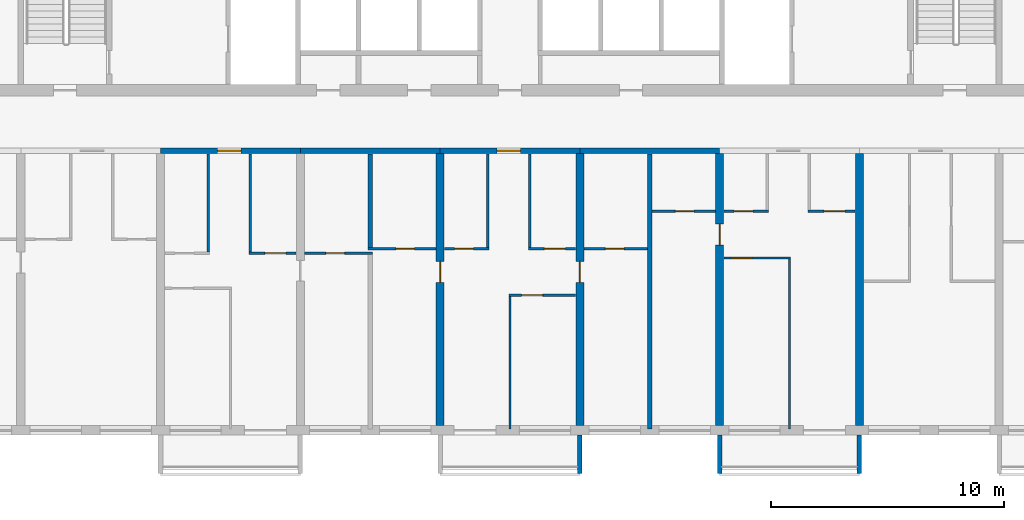
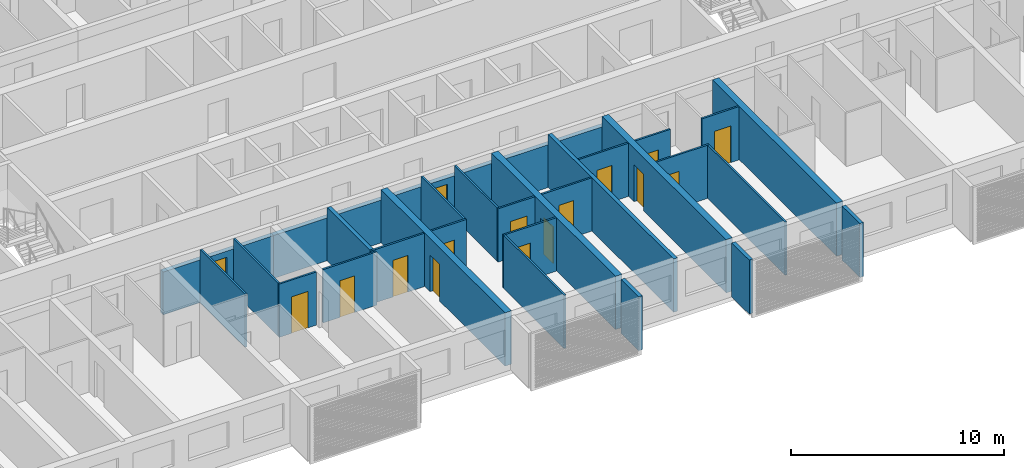
# One storey, part 5 of 26: 30 walls, 16 doors, 16 openings.
"""IFC4 building model written with IfcOpenShell, lengths in metres."""

import ifcopenshell
import ifcopenshell.guid

model = None  # the IFC model being written
_history = None  # IfcOwnerHistory: only IFC2X3 demands one
_inside = {}  # id of a spatial element -> (the spatial element, [elements in it])
_under = {}  # id of a project, library or spatial element -> (it, [spatial elements below it])
_declared = {}  # id of a project -> (the project, [libraries it declares])
_typed = {}  # id of a type object -> (the type object, [elements of that type])
_made_of = {}  # id of a material, layer set ... -> (it, [elements and type objects made of it])


def new_model(schema):
    """Start an empty IFC model of exactly this schema.

    Asked for "IFC4X3", IfcOpenShell would pick the latest addendum, in which some entities
    have other attributes; the version numbers below select the first issue.
    IFC2X3 requires an IfcOwnerHistory on every rooted entity: one is made here for all.
    """
    global model, _history
    if schema == "IFC4X3":
        model = ifcopenshell.file(schema_version=(4, 3, 0, 0))
    else:
        model = ifcopenshell.file(schema=schema)
    _inside.clear()
    _under.clear()
    _declared.clear()
    _typed.clear()
    _made_of.clear()
    _history = None
    if model.schema == "IFC2X3":
        org = make("IfcOrganization", Name="unknown")
        user = make(
            "IfcPersonAndOrganization",
            ThePerson=make("IfcPerson", FamilyName="unknown"),
            TheOrganization=org,
        )
        app = make(
            "IfcApplication",
            ApplicationDeveloper=org,
            Version="unknown",
            ApplicationFullName="unknown",
            ApplicationIdentifier="unknown",
        )
        _history = make(
            "IfcOwnerHistory",
            OwningUser=user,
            OwningApplication=app,
            ChangeAction="ADDED",
            CreationDate=0,
        )
    return model


def make(cls, **values):
    """One entity of the class cls with the attributes given. An attribute that is None is left unset."""
    return model.create_entity(
        cls, **{name: value for name, value in values.items() if value is not None}
    )


def rooted(cls, **values):
    """An entity with a GlobalId (a new one), such as an element, a storey or a relation."""
    return make(cls, GlobalId=ifcopenshell.guid.new(), OwnerHistory=_history, **values)


def si_unit(unit_type, name, prefix=None):
    """IfcSIUnit, for example si_unit("LENGTHUNIT", "METRE", prefix="MILLI")."""
    return make("IfcSIUnit", UnitType=unit_type, Prefix=prefix, Name=name)


def assignment(units):
    """IfcUnitAssignment: the units of a project."""
    return None if units is None else make("IfcUnitAssignment", Units=units)


def point(xyz):
    """IfcCartesianPoint."""
    return None if xyz is None else make("IfcCartesianPoint", Coordinates=xyz)


def direction(xyz):
    """IfcDirection."""
    return None if xyz is None else make("IfcDirection", DirectionRatios=xyz)


def frame(location, z_axis=None, x_axis=None):
    """IfcAxis2Placement3D, a coordinate frame: its origin and axes. An axis left out is left unset."""
    return make(
        "IfcAxis2Placement3D",
        Location=point(location),
        Axis=direction(z_axis),
        RefDirection=direction(x_axis),
    )


def frame_2d(location, x_axis=None):
    """IfcAxis2Placement2D, a coordinate frame in the plane: its origin and x axis."""
    return make(
        "IfcAxis2Placement2D", Location=point(location), RefDirection=direction(x_axis)
    )


def origin():
    """The frame at (0, 0, 0) with its axes left unset."""
    return frame((0.0, 0.0, 0.0))


def place(relative_to, where):
    """IfcLocalPlacement: puts the frame where relative to a parent placement (None: the world)."""
    return make(
        "IfcLocalPlacement", PlacementRelTo=relative_to, RelativePlacement=where
    )


def context(
    kind, dimensions, precision=None, world=None, true_north=None, identifier=None
):
    """IfcGeometricRepresentationContext, for example the 3D "Model" context."""
    return make(
        "IfcGeometricRepresentationContext",
        ContextIdentifier=identifier,
        ContextType=kind,
        CoordinateSpaceDimension=dimensions,
        Precision=precision,
        WorldCoordinateSystem=world,
        TrueNorth=true_north,
    )


def subcontext(parent, identifier, kind, view, scale=None):
    """IfcGeometricRepresentationSubContext, for example "Body" below "Model"."""
    return make(
        "IfcGeometricRepresentationSubContext",
        ContextIdentifier=identifier,
        ContextType=kind,
        ParentContext=parent,
        TargetScale=scale,
        TargetView=view,
    )


def project(units=None, contexts=None):
    """IfcProject with its units and contexts."""
    return rooted(
        "IfcProject",
        Name="project",
        RepresentationContexts=contexts,
        UnitsInContext=assignment(units),
    )


def spatial(cls, under=None, at=None, **own):
    """A site, building, storey or space (cls), placed at a placement, below another one or the project."""
    s = rooted(cls, ObjectPlacement=at, **own)
    if under is not None:
        _under.setdefault(under.id(), (under, []))[1].append(s)
    return s


def polyline(points):
    """IfcPolyline through the points."""
    return make("IfcPolyline", Points=[point(p) for p in points])


def profile(cls, at=None, kind="AREA", **sizes):
    """A parametric profile (cls). Its sizes go by their IFC names, for example OverallWidth=200.0."""
    return make(cls, ProfileType=kind, Position=at, **sizes)


def rectangle(**sizes):
    """IfcRectangleProfileDef."""
    return profile("IfcRectangleProfileDef", **sizes)


def outline(outer, holes=None, kind="AREA"):
    """IfcArbitraryClosedProfileDef: a profile drawn as a closed curve; with holes, ...WithVoids."""
    if holes is None:
        return make("IfcArbitraryClosedProfileDef", ProfileType=kind, OuterCurve=outer)
    return make(
        "IfcArbitraryProfileDefWithVoids",
        ProfileType=kind,
        OuterCurve=outer,
        InnerCurves=holes,
    )


def extrude(swept, where, along, depth):
    """IfcExtrudedAreaSolid: the profile swept, set in the frame where, extruded along a direction by depth."""
    return make(
        "IfcExtrudedAreaSolid",
        SweptArea=swept,
        Position=where,
        ExtrudedDirection=direction(along),
        Depth=depth,
    )


def shape(context_of_items, identifier, shape_type, items):
    """IfcShapeRepresentation: the items that make up one representation, for example the "Body"."""
    return make(
        "IfcShapeRepresentation",
        ContextOfItems=context_of_items,
        RepresentationIdentifier=identifier,
        RepresentationType=shape_type,
        Items=items,
    )


def source(mapping_origin, context_of_items, identifier, shape_type, items):
    """IfcRepresentationMap: a shape defined once, which mapped items show again and again."""
    return make(
        "IfcRepresentationMap",
        MappingOrigin=mapping_origin,
        MappedRepresentation=shape(context_of_items, identifier, shape_type, items),
    )


def transform(
    local_origin,
    x_axis=None,
    y_axis=None,
    z_axis=None,
    scale=None,
    scale2=None,
    scale3=None,
    uniform=True,
):
    """IfcCartesianTransformationOperator3D, or its non-uniform kind. x_axis, y_axis, z_axis: its Axis1, 2, 3."""
    if uniform:
        return make(
            "IfcCartesianTransformationOperator3D",
            Axis1=direction(x_axis),
            Axis2=direction(y_axis),
            LocalOrigin=point(local_origin),
            Scale=scale,
            Axis3=direction(z_axis),
        )
    return make(
        "IfcCartesianTransformationOperator3DnonUniform",
        Axis1=direction(x_axis),
        Axis2=direction(y_axis),
        LocalOrigin=point(local_origin),
        Scale=scale,
        Axis3=direction(z_axis),
        Scale2=scale2,
        Scale3=scale3,
    )


def mapped(mapping_source, mapping_target):
    """IfcMappedItem: shows the shape of a source again, moved by a transform."""
    return make(
        "IfcMappedItem", MappingSource=mapping_source, MappingTarget=mapping_target
    )


def material(Name=None, Category=None):
    """IfcMaterial."""
    return make("IfcMaterial", Name=Name, Category=Category)


def layer(
    of_material, thickness, ventilated=None, Name=None, Category=None, Priority=None
):
    """IfcMaterialLayer: one layer of a wall or slab, of a material (None: an air gap)."""
    return make(
        "IfcMaterialLayer",
        Material=of_material,
        LayerThickness=thickness,
        IsVentilated=ventilated,
        Name=Name,
        Category=Category,
        Priority=Priority,
    )


def layer_set(layers, Name=None):
    """IfcMaterialLayerSet."""
    return make("IfcMaterialLayerSet", MaterialLayers=layers, LayerSetName=Name)


def made_of(thing, what):
    """Note that an element or type object is made of a material, layer set ...; save() writes the relation."""
    if what is not None:
        _made_of.setdefault(what.id(), (what, []))[1].append(thing)
    return thing


def type_object(cls, material=None, **own):
    """A type object (cls), such as IfcWallType, which elements share."""
    return made_of(rooted(cls, **own), material)


def element(
    cls,
    number,
    at=None,
    inside=None,
    cuts=None,
    type_object=None,
    material=None,
    context=None,
    identifier="Body",
    shape_type=None,
    held_by="IfcProductDefinitionShape",
    body=None,
    shapes=None,
    **own,
):
    """One element of the class cls, such as IfcWall. Its Tag is "e" and its number.

    at: its placement. inside: the storey or other place that contains it. cuts: it is an
    opening in that element (IfcRelVoidsElement). A single representation is given by context,
    identifier, shape_type and body (its items); several are given by shapes. held_by: the class
    of the entity that holds the representations. save() writes the other relations.
    """
    e = rooted(cls, Tag="e%d" % number, ObjectPlacement=at, **own)
    if body is not None:
        shapes = [shape(context, identifier, shape_type, body)]
    if shapes is not None:
        e.Representation = make(held_by, Representations=shapes)
    if inside is not None:
        _inside.setdefault(inside.id(), (inside, []))[1].append(e)
    if cuts is not None:
        rooted(
            "IfcRelVoidsElement", RelatingBuildingElement=cuts, RelatedOpeningElement=e
        )
    if type_object is not None:
        _typed.setdefault(type_object.id(), (type_object, []))[1].append(e)
    return made_of(e, material)


def fill(opening, filler):
    """IfcRelFillsElement: the door or window that sits in an opening."""
    return rooted(
        "IfcRelFillsElement",
        RelatingOpeningElement=opening,
        RelatedBuildingElement=filler,
    )


def aggregate(whole, parts):
    """IfcRelAggregates: a whole, such as a stair, and the parts it consists of."""
    return rooted("IfcRelAggregates", RelatingObject=whole, RelatedObjects=parts)


def save(model, path):
    """Write the relations noted so far, then the file.

    IfcRelAggregates (storeys below a building ...), IfcRelContainedInSpatialStructure (elements
    in a storey), IfcRelDefinesByType, IfcRelAssociatesMaterial and IfcRelDeclares: one each for
    every whole, place, type object, material and project.
    """
    for whole, parts in _under.values():
        aggregate(whole, parts)
    for where, things in _inside.values():
        rooted(
            "IfcRelContainedInSpatialStructure",
            RelatedElements=things,
            RelatingStructure=where,
        )
    for kind, things in _typed.values():
        rooted("IfcRelDefinesByType", RelatedObjects=things, RelatingType=kind)
    for what, things in _made_of.values():
        rooted("IfcRelAssociatesMaterial", RelatedObjects=things, RelatingMaterial=what)
    for by, libraries in _declared.values():
        rooted("IfcRelDeclares", RelatingContext=by, RelatedDefinitions=libraries)
    model.write(path)


model = new_model("IFC4")

# Units and contexts
model_context = context("Model", 3, precision=1e-05, world=origin(), true_north=direction((0.0, 1.0)))
body_context = subcontext(model_context, "Body", "Model", "MODEL_VIEW")
ifc_project = project(units=[si_unit("LENGTHUNIT", "METRE"), si_unit("AREAUNIT", "SQUARE_METRE"), si_unit("VOLUMEUNIT", "CUBIC_METRE"), si_unit("PLANEANGLEUNIT", "RADIAN"), si_unit("MASSUNIT", "GRAM", prefix="KILO")], contexts=[model_context])

# Site, building, storey
site_placement = place(None, origin())
site = spatial("IfcSite", under=ifc_project, at=site_placement, CompositionType="ELEMENT")
building_placement = place(site_placement, origin())
building = spatial("IfcBuilding", under=site, at=building_placement, Name="Poui Terraces", CompositionType="ELEMENT")
storey_placement = place(building_placement, frame((0.0, 0.0, 96.0)))
storey = spatial("IfcBuildingStorey", under=building, at=storey_placement, Name="L26", CompositionType="ELEMENT", Elevation=96.0)

# Wall, opening, door
ifc_material_1 = material(Name="Concrete 65 MPa", Category="concrete")
ifc_layer_1 = layer(ifc_material_1, 0.25)
ifc_layer_set_1 = layer_set([ifc_layer_1], Name="Concrete 65 MPa")
wall_type_1 = type_object("IfcWallType", Name="CORRIDOR WALL 250 65MPa", PredefinedType="SHEAR", material=ifc_layer_set_1)
wall_1_placement = place(storey_placement, frame((36.0, 12.0, 0.0), z_axis=(0.0, 0.0, 1.0), x_axis=(1.0, 0.0, 0.0)))
wall_1 = element("IfcWall", 1, at=wall_1_placement, inside=storey, type_object=wall_type_1, Name="CORRIDOR WALL LINE B BAY 6", PredefinedType="SHEAR", context=body_context, shape_type="SweptSolid", body=[
    extrude(rectangle(XDim=6.0, YDim=0.25, at=frame_2d((3.0, 0.0))), origin(), (0.0, 0.0, 1.0), 2.4599609375),
])
opening_1_placement = place(wall_1_placement, frame((2.449951171875, 0.0, 0.0)))
opening_1 = element("IfcOpeningElement", 2, at=opening_1_placement, cuts=wall_1, Name="Opening FD30S", PredefinedType="OPENING", context=body_context, shape_type="SweptSolid", body=[
    extrude(rectangle(XDim=1.0, YDim=2.10009765625, at=frame_2d((0.5, 1.050048828125))), frame((0.0, 0.135009765625, 0.0), z_axis=(0.0, -1.0, 0.0), x_axis=(1.0, 0.0, 0.0)), (0.0, 0.0, 1.0), 0.27001953125),
])
ifc_material_2 = material(Name="Steel fire door", Category="steel")
door_type_1 = type_object("IfcDoorType", Name="FLAT ENTRANCE DOOR 1000 X 2100", OperationType="NOTDEFINED", PredefinedType="DOOR", material=ifc_material_2)
door_1_placement = place(opening_1_placement, frame((1.0, 0.0, 0.0), z_axis=(0.0, 0.0, 1.0), x_axis=(-1.0, 0.0, 0.0)))
door_1 = element("IfcDoor", 3, at=door_1_placement, inside=storey, type_object=door_type_1, Name="FLAT ENTRANCE DOOR 101", OperationType="SINGLE_SWING_RIGHT", OverallHeight=2.10009765625, OverallWidth=1.0, PredefinedType="DOOR", context=body_context, shape_type="SweptSolid", body=[
    extrude(rectangle(XDim=1.0, YDim=2.10009765625, at=frame_2d((0.5, 1.050048828125))), frame((0.0, 0.02490234375, 0.0), z_axis=(0.0, -1.0, 0.0), x_axis=(1.0, 0.0, 0.0)), (0.0, 0.0, 1.0), 0.050048828125),
])
fill(opening_1, door_1)

# Wall
wall_2_placement = place(storey_placement, frame((42.0, 12.0, 0.0), z_axis=(0.0, 0.0, 1.0), x_axis=(1.0, 0.0, 0.0)))
element("IfcWall", 4, at=wall_2_placement, inside=storey, type_object=wall_type_1, Name="CORRIDOR WALL LINE B BAY 7", PredefinedType="SHEAR", context=body_context, shape_type="SweptSolid", body=[
    extrude(rectangle(XDim=6.0, YDim=0.25, at=frame_2d((3.0, 0.0))), origin(), (0.0, 0.0, 1.0), 2.4599609375),
])

# Wall, opening, door
wall_3_placement = place(storey_placement, frame((48.0, 12.0, 0.0), z_axis=(0.0, 0.0, 1.0), x_axis=(1.0, 0.0, 0.0)))
wall_3 = element("IfcWall", 5, at=wall_3_placement, inside=storey, type_object=wall_type_1, Name="CORRIDOR WALL LINE B BAY 8", PredefinedType="SHEAR", context=body_context, shape_type="SweptSolid", body=[
    extrude(rectangle(XDim=6.0, YDim=0.25, at=frame_2d((3.0, 0.0))), origin(), (0.0, 0.0, 1.0), 2.4599609375),
])
opening_2_placement = place(wall_3_placement, frame((2.449951171875, 0.0, 0.0)))
opening_2 = element("IfcOpeningElement", 6, at=opening_2_placement, cuts=wall_3, Name="Opening FD30S", PredefinedType="OPENING", context=body_context, shape_type="SweptSolid", body=[
    extrude(rectangle(XDim=1.0, YDim=2.10009765625, at=frame_2d((0.5, 1.050048828125))), frame((0.0, 0.135009765625, 0.0), z_axis=(0.0, -1.0, 0.0), x_axis=(1.0, 0.0, 0.0)), (0.0, 0.0, 1.0), 0.27001953125),
])
door_2_placement = place(opening_2_placement, frame((1.0, 0.0, 0.0), z_axis=(0.0, 0.0, 1.0), x_axis=(-1.0, 0.0, 0.0)))
door_2 = element("IfcDoor", 7, at=door_2_placement, inside=storey, type_object=door_type_1, Name="FLAT ENTRANCE DOOR 108", OperationType="SINGLE_SWING_RIGHT", OverallHeight=2.10009765625, OverallWidth=1.0, PredefinedType="DOOR", context=body_context, shape_type="SweptSolid", body=[
    extrude(rectangle(XDim=1.0, YDim=2.10009765625, at=frame_2d((0.5, 1.050048828125))), frame((0.0, 0.02490234375, 0.0), z_axis=(0.0, -1.0, 0.0), x_axis=(1.0, 0.0, 0.0)), (0.0, 0.0, 1.0), 0.050048828125),
])
fill(opening_2, door_2)

# Wall
wall_4_placement = place(storey_placement, frame((54.0, 12.0, 0.0), z_axis=(0.0, 0.0, 1.0), x_axis=(1.0, 0.0, 0.0)))
element("IfcWall", 8, at=wall_4_placement, inside=storey, type_object=wall_type_1, Name="CORRIDOR WALL LINE B BAY 9", PredefinedType="SHEAR", context=body_context, shape_type="SweptSolid", body=[
    extrude(rectangle(XDim=6.0, YDim=0.25, at=frame_2d((3.0, 0.0))), origin(), (0.0, 0.0, 1.0), 2.4599609375),
])

# Wall, opening, door
ifc_layer_2 = layer(ifc_material_1, 0.35009765625)
ifc_layer_set_2 = layer_set([ifc_layer_2], Name="Concrete 65 MPa")
wall_type_2 = type_object("IfcWallType", Name="CROSS WALL 350 65MPa", PredefinedType="SHEAR", material=ifc_layer_set_2)
wall_5_placement = place(storey_placement, frame((48.0, 0.199951171875, 0.0), z_axis=(0.0, 0.0, 1.0), x_axis=(0.0, 1.0, 0.0)))
wall_5 = element("IfcWall", 9, at=wall_5_placement, inside=storey, type_object=wall_type_2, Name="CROSS WALL LINE 9 SOUTH", PredefinedType="SHEAR", context=body_context, shape_type="SweptSolid", body=[
    extrude(rectangle(XDim=11.675048828125, YDim=0.35009765625, at=frame_2d((5.83740234375, 0.0))), origin(), (0.0, 0.0, 1.0), 3.06005859375),
])
opening_3_placement = place(wall_5_placement, frame((6.14990234375, 0.0, 0.0)))
opening_3 = element("IfcOpeningElement", 10, at=opening_3_placement, cuts=wall_5, Name="Opening D90", PredefinedType="OPENING", context=body_context, shape_type="SweptSolid", body=[
    extrude(rectangle(XDim=0.89990234375, YDim=2.10009765625, at=frame_2d((0.449951171875, 1.050048828125))), frame((0.0, 0.18505859375, 0.0), z_axis=(0.0, -1.0, 0.0), x_axis=(1.0, 0.0, 0.0)), (0.0, 0.0, 1.0), 0.3701171875),
])
ifc_material_3 = material(Name="Solid core timber door", Category="wood")
door_type_2 = type_object("IfcDoorType", Name="INTERNAL DOOR 900 X 2100", OperationType="NOTDEFINED", PredefinedType="DOOR", material=ifc_material_3)
door_3_placement = place(opening_3_placement, origin())
door_3 = element("IfcDoor", 11, at=door_3_placement, inside=storey, type_object=door_type_2, Name="INTERNAL DOOR 106", OperationType="SINGLE_SWING_RIGHT", OverallHeight=2.10009765625, OverallWidth=0.89990234375, PredefinedType="DOOR", context=body_context, shape_type="SweptSolid", body=[
    extrude(rectangle(XDim=0.89990234375, YDim=2.10009765625, at=frame_2d((0.449951171875, 1.050048828125))), frame((0.0, 0.02490234375, 0.0), z_axis=(0.0, -1.0, 0.0), x_axis=(1.0, 0.0, 0.0)), (0.0, 0.0, 1.0), 0.050048828125),
])
fill(opening_3, door_3)

wall_6_placement = place(storey_placement, frame((54.0, 0.199951171875, 0.0), z_axis=(0.0, 0.0, 1.0), x_axis=(0.0, 1.0, 0.0)))
wall_6 = element("IfcWall", 12, at=wall_6_placement, inside=storey, type_object=wall_type_2, Name="CROSS WALL LINE 10 SOUTH", PredefinedType="SHEAR", context=body_context, shape_type="SweptSolid", body=[
    extrude(rectangle(XDim=11.675048828125, YDim=0.35009765625, at=frame_2d((5.83740234375, 0.0))), origin(), (0.0, 0.0, 1.0), 3.06005859375),
])
opening_4_placement = place(wall_6_placement, frame((6.14990234375, 0.0, 0.0)))
opening_4 = element("IfcOpeningElement", 13, at=opening_4_placement, cuts=wall_6, Name="Opening D90", PredefinedType="OPENING", context=body_context, shape_type="SweptSolid", body=[
    extrude(rectangle(XDim=0.89990234375, YDim=2.10009765625, at=frame_2d((0.449951171875, 1.050048828125))), frame((0.0, 0.18505859375, 0.0), z_axis=(0.0, -1.0, 0.0), x_axis=(1.0, 0.0, 0.0)), (0.0, 0.0, 1.0), 0.3701171875),
])
door_4_placement = place(opening_4_placement, frame((0.89990234375, 0.0, 0.0), z_axis=(0.0, 0.0, 1.0), x_axis=(-1.0, 0.0, 0.0)))
door_4 = element("IfcDoor", 14, at=door_4_placement, inside=storey, type_object=door_type_2, Name="INTERNAL DOOR 111", OperationType="SINGLE_SWING_LEFT", OverallHeight=2.10009765625, OverallWidth=0.89990234375, PredefinedType="DOOR", context=body_context, shape_type="SweptSolid", body=[
    extrude(rectangle(XDim=0.89990234375, YDim=2.10009765625, at=frame_2d((0.449951171875, 1.050048828125))), frame((0.0, 0.02490234375, 0.0), z_axis=(0.0, -1.0, 0.0), x_axis=(1.0, 0.0, 0.0)), (0.0, 0.0, 1.0), 0.050048828125),
])
fill(opening_4, door_4)

wall_7_placement = place(storey_placement, frame((60.0, 0.199951171875, 0.0), z_axis=(0.0, 0.0, 1.0), x_axis=(0.0, 1.0, 0.0)))
wall_7 = element("IfcWall", 15, at=wall_7_placement, inside=storey, type_object=wall_type_2, Name="CROSS WALL LINE 11 SOUTH", PredefinedType="SHEAR", context=body_context, shape_type="SweptSolid", body=[
    extrude(rectangle(XDim=11.675048828125, YDim=0.35009765625, at=frame_2d((5.83740234375, 0.0))), origin(), (0.0, 0.0, 1.0), 3.06005859375),
])
opening_5_placement = place(wall_7_placement, frame((7.75, 0.0, 0.0)))
opening_5 = element("IfcOpeningElement", 16, at=opening_5_placement, cuts=wall_7, Name="Opening D90", PredefinedType="OPENING", context=body_context, shape_type="SweptSolid", body=[
    extrude(rectangle(XDim=0.89990234375, YDim=2.10009765625, at=frame_2d((0.449951171875, 1.050048828125))), frame((0.0, 0.18505859375, 0.0), z_axis=(0.0, -1.0, 0.0), x_axis=(1.0, 0.0, 0.0)), (0.0, 0.0, 1.0), 0.3701171875),
])
door_5_placement = place(opening_5_placement, origin())
door_5 = element("IfcDoor", 17, at=door_5_placement, inside=storey, type_object=door_type_2, Name="INTERNAL DOOR 113", OperationType="SINGLE_SWING_RIGHT", OverallHeight=2.10009765625, OverallWidth=0.89990234375, PredefinedType="DOOR", context=body_context, shape_type="SweptSolid", body=[
    extrude(rectangle(XDim=0.89990234375, YDim=2.10009765625, at=frame_2d((0.449951171875, 1.050048828125))), frame((0.0, 0.02490234375, 0.0), z_axis=(0.0, -1.0, 0.0), x_axis=(1.0, 0.0, 0.0)), (0.0, 0.0, 1.0), 0.050048828125),
])
fill(opening_5, door_5)

# Wall
wall_8_placement = place(storey_placement, frame((66.0, 0.199951171875, 0.0), z_axis=(0.0, 0.0, 1.0), x_axis=(0.0, 1.0, 0.0)))
element("IfcWall", 18, at=wall_8_placement, inside=storey, type_object=wall_type_2, Name="CROSS WALL LINE 12 SOUTH", PredefinedType="SHEAR", context=body_context, shape_type="SweptSolid", body=[
    extrude(rectangle(XDim=11.675048828125, YDim=0.35009765625, at=frame_2d((5.83740234375, 0.0))), origin(), (0.0, 0.0, 1.0), 3.06005859375),
])

# Wall, opening, door
ifc_material_4 = material(Name="Plasterboard partition")
ifc_layer_3 = layer(ifc_material_4, 0.10009765625)
ifc_layer_set_3 = layer_set([ifc_layer_3], Name="Plasterboard partition")
wall_type_3 = type_object("IfcWallType", Name="FLAT PARTITION 100", PredefinedType="PARTITIONING", material=ifc_layer_set_3)
wall_9_placement = place(storey_placement, frame((50.949951171875, 5.800048828125, 0.0), z_axis=(0.0, 0.0, 1.0), x_axis=(1.0, 0.0, 0.0)))
wall_9 = element("IfcWall", 19, at=wall_9_placement, inside=storey, type_object=wall_type_3, Name="FLAT PARTITION 100", PredefinedType="PARTITIONING", context=body_context, shape_type="SweptSolid", body=[
    extrude(rectangle(XDim=2.864990234375, YDim=0.10009765625, at=frame_2d((1.4326171875, 0.0))), origin(), (0.0, 0.0, 1.0), 3.06005859375),
])
opening_6_placement = place(wall_9_placement, frame((0.550048828125, 0.0, 0.0)))
opening_6 = element("IfcOpeningElement", 20, at=opening_6_placement, cuts=wall_9, Name="Opening D90", PredefinedType="OPENING", context=body_context, shape_type="SweptSolid", body=[
    extrude(rectangle(XDim=0.89990234375, YDim=2.10009765625, at=frame_2d((0.449951171875, 1.050048828125))), frame((0.0, 0.06005859375, 0.0), z_axis=(0.0, -1.0, 0.0), x_axis=(1.0, 0.0, 0.0)), (0.0, 0.0, 1.0), 0.1201171875),
])
door_6_placement = place(opening_6_placement, origin())
door_6 = element("IfcDoor", 21, at=door_6_placement, inside=storey, type_object=door_type_2, Name="INTERNAL DOOR 109", OperationType="SINGLE_SWING_RIGHT", OverallHeight=2.10009765625, OverallWidth=0.89990234375, PredefinedType="DOOR", context=body_context, shape_type="SweptSolid", body=[
    extrude(rectangle(XDim=0.89990234375, YDim=2.10009765625, at=frame_2d((0.449951171875, 1.050048828125))), frame((0.0, 0.02490234375, 0.0), z_axis=(0.0, -1.0, 0.0), x_axis=(1.0, 0.0, 0.0)), (0.0, 0.0, 1.0), 0.050048828125),
])
fill(opening_6, door_6)

wall_10_placement = place(storey_placement, frame((60.18505859375, 7.39990234375, 0.0), z_axis=(0.0, 0.0, 1.0), x_axis=(1.0, 0.0, 0.0)))
wall_10 = element("IfcWall", 22, at=wall_10_placement, inside=storey, type_object=wall_type_3, Name="FLAT PARTITION 100", PredefinedType="PARTITIONING", context=body_context, shape_type="SweptSolid", body=[
    extrude(rectangle(XDim=2.864990234375, YDim=0.10009765625, at=frame_2d((1.4326171875, 0.0))), origin(), (0.0, 0.0, 1.0), 3.06005859375),
])
opening_7_placement = place(wall_10_placement, frame((0.31494140625, 0.0, 0.0)))
opening_7 = element("IfcOpeningElement", 23, at=opening_7_placement, cuts=wall_10, Name="Opening D90", PredefinedType="OPENING", context=body_context, shape_type="SweptSolid", body=[
    extrude(rectangle(XDim=0.89990234375, YDim=2.10009765625, at=frame_2d((0.449951171875, 1.050048828125))), frame((0.0, 0.06005859375, 0.0), z_axis=(0.0, -1.0, 0.0), x_axis=(1.0, 0.0, 0.0)), (0.0, 0.0, 1.0), 0.1201171875),
])
door_7_placement = place(opening_7_placement, origin())
door_7 = element("IfcDoor", 24, at=door_7_placement, inside=storey, type_object=door_type_2, Name="INTERNAL DOOR 114", OperationType="SINGLE_SWING_RIGHT", OverallHeight=2.10009765625, OverallWidth=0.89990234375, PredefinedType="DOOR", context=body_context, shape_type="SweptSolid", body=[
    extrude(rectangle(XDim=0.89990234375, YDim=2.10009765625, at=frame_2d((0.449951171875, 1.050048828125))), frame((0.0, 0.02490234375, 0.0), z_axis=(0.0, -1.0, 0.0), x_axis=(1.0, 0.0, 0.0)), (0.0, 0.0, 1.0), 0.050048828125),
])
fill(opening_7, door_7)

wall_11_placement = place(storey_placement, frame((39.800048828125, 7.60009765625, 0.0), z_axis=(0.0, 0.0, 1.0), x_axis=(1.0, 0.0, 0.0)))
wall_11 = element("IfcWall", 25, at=wall_11_placement, inside=storey, type_object=wall_type_3, Name="FLAT PARTITION 100", PredefinedType="PARTITIONING", context=body_context, shape_type="SweptSolid", body=[
    extrude(rectangle(XDim=2.014892578125, YDim=0.10009765625, at=frame_2d((1.00732421875, 0.0))), origin(), (0.0, 0.0, 1.0), 3.06005859375),
])
opening_8_placement = place(wall_11_placement, frame((0.675048828125, 0.0, 0.0)))
opening_8 = element("IfcOpeningElement", 26, at=opening_8_placement, cuts=wall_11, Name="Opening D90", PredefinedType="OPENING", context=body_context, shape_type="SweptSolid", body=[
    extrude(rectangle(XDim=0.89990234375, YDim=2.10009765625, at=frame_2d((0.449951171875, 1.050048828125))), frame((0.0, 0.06005859375, 0.0), z_axis=(0.0, -1.0, 0.0), x_axis=(1.0, 0.0, 0.0)), (0.0, 0.0, 1.0), 0.1201171875),
])
door_8_placement = place(opening_8_placement, origin())
door_8 = element("IfcDoor", 27, at=door_8_placement, inside=storey, type_object=door_type_2, Name="INTERNAL DOOR 102", OperationType="SINGLE_SWING_RIGHT", OverallHeight=2.10009765625, OverallWidth=0.89990234375, PredefinedType="DOOR", context=body_context, shape_type="SweptSolid", body=[
    extrude(rectangle(XDim=0.89990234375, YDim=2.10009765625, at=frame_2d((0.449951171875, 1.050048828125))), frame((0.0, 0.02490234375, 0.0), z_axis=(0.0, -1.0, 0.0), x_axis=(1.0, 0.0, 0.0)), (0.0, 0.0, 1.0), 0.050048828125),
])
fill(opening_8, door_8)

wall_12_placement = place(storey_placement, frame((42.18505859375, 7.60009765625, 0.0), z_axis=(0.0, 0.0, 1.0), x_axis=(1.0, 0.0, 0.0)))
wall_12 = element("IfcWall", 28, at=wall_12_placement, inside=storey, type_object=wall_type_3, Name="FLAT PARTITION 100", PredefinedType="PARTITIONING", context=body_context, shape_type="SweptSolid", body=[
    extrude(rectangle(XDim=2.9150390625, YDim=0.10009765625, at=frame_2d((1.45751953125, 0.0))), origin(), (0.0, 0.0, 1.0), 3.06005859375),
])
opening_9_placement = place(wall_12_placement, frame((0.9150390625, 0.0, 0.0)))
opening_9 = element("IfcOpeningElement", 29, at=opening_9_placement, cuts=wall_12, Name="Opening D80", PredefinedType="OPENING", context=body_context, shape_type="SweptSolid", body=[
    extrude(rectangle(XDim=0.800048828125, YDim=2.10009765625, at=frame_2d((0.39990234375, 1.050048828125))), frame((0.0, 0.06005859375, 0.0), z_axis=(0.0, -1.0, 0.0), x_axis=(1.0, 0.0, 0.0)), (0.0, 0.0, 1.0), 0.1201171875),
])
door_type_3 = type_object("IfcDoorType", Name="BATHROOM, LAUNDRY AND STORE DOOR 800 X 2100", OperationType="NOTDEFINED", PredefinedType="DOOR", material=ifc_material_3)
door_9_placement = place(opening_9_placement, origin())
door_9 = element("IfcDoor", 30, at=door_9_placement, inside=storey, type_object=door_type_3, Name="BATHROOM, LAUNDRY AND STORE DOOR 098", OperationType="SINGLE_SWING_LEFT", OverallHeight=2.10009765625, OverallWidth=0.800048828125, PredefinedType="DOOR", context=body_context, shape_type="SweptSolid", body=[
    extrude(rectangle(XDim=0.800048828125, YDim=2.10009765625, at=frame_2d((0.39990234375, 1.050048828125))), frame((0.0, 0.02490234375, 0.0), z_axis=(0.0, -1.0, 0.0), x_axis=(1.0, 0.0, 0.0)), (0.0, 0.0, 1.0), 0.050048828125),
])
fill(opening_9, door_9)

wall_13_placement = place(storey_placement, frame((44.89990234375, 7.800048828125, 0.0), z_axis=(0.0, 0.0, 1.0), x_axis=(1.0, 0.0, 0.0)))
wall_13 = element("IfcWall", 31, at=wall_13_placement, inside=storey, type_object=wall_type_3, Name="FLAT PARTITION 100", PredefinedType="PARTITIONING", context=body_context, shape_type="SweptSolid", body=[
    extrude(rectangle(XDim=2.9150390625, YDim=0.10009765625, at=frame_2d((1.45751953125, 0.0))), origin(), (0.0, 0.0, 1.0), 3.06005859375),
])
opening_10_placement = place(wall_13_placement, frame((1.199951171875, 0.0, 0.0)))
opening_10 = element("IfcOpeningElement", 32, at=opening_10_placement, cuts=wall_13, Name="Opening D80", PredefinedType="OPENING", context=body_context, shape_type="SweptSolid", body=[
    extrude(rectangle(XDim=0.800048828125, YDim=2.10009765625, at=frame_2d((0.39990234375, 1.050048828125))), frame((0.0, 0.06005859375, 0.0), z_axis=(0.0, -1.0, 0.0), x_axis=(1.0, 0.0, 0.0)), (0.0, 0.0, 1.0), 0.1201171875),
])
door_10_placement = place(opening_10_placement, origin())
door_10 = element("IfcDoor", 33, at=door_10_placement, inside=storey, type_object=door_type_3, Name="BATHROOM, LAUNDRY AND STORE DOOR 104", OperationType="SINGLE_SWING_RIGHT", OverallHeight=2.10009765625, OverallWidth=0.800048828125, PredefinedType="DOOR", context=body_context, shape_type="SweptSolid", body=[
    extrude(rectangle(XDim=0.800048828125, YDim=2.10009765625, at=frame_2d((0.39990234375, 1.050048828125))), frame((0.0, 0.02490234375, 0.0), z_axis=(0.0, -1.0, 0.0), x_axis=(1.0, 0.0, 0.0)), (0.0, 0.0, 1.0), 0.050048828125),
])
fill(opening_10, door_10)

wall_14_placement = place(storey_placement, frame((48.18505859375, 7.800048828125, 0.0), z_axis=(0.0, 0.0, 1.0), x_axis=(1.0, 0.0, 0.0)))
wall_14 = element("IfcWall", 34, at=wall_14_placement, inside=storey, type_object=wall_type_3, Name="FLAT PARTITION 100", PredefinedType="PARTITIONING", context=body_context, shape_type="SweptSolid", body=[
    extrude(rectangle(XDim=1.9150390625, YDim=0.10009765625, at=frame_2d((0.95751953125, 0.0))), origin(), (0.0, 0.0, 1.0), 3.06005859375),
])
opening_11_placement = place(wall_14_placement, frame((0.43994140625, 0.0, 0.0)))
opening_11 = element("IfcOpeningElement", 35, at=opening_11_placement, cuts=wall_14, Name="Opening D80", PredefinedType="OPENING", context=body_context, shape_type="SweptSolid", body=[
    extrude(rectangle(XDim=0.800048828125, YDim=2.10009765625, at=frame_2d((0.39990234375, 1.050048828125))), frame((0.0, 0.06005859375, 0.0), z_axis=(0.0, -1.0, 0.0), x_axis=(1.0, 0.0, 0.0)), (0.0, 0.0, 1.0), 0.1201171875),
])
door_11_placement = place(opening_11_placement, origin())
door_11 = element("IfcDoor", 36, at=door_11_placement, inside=storey, type_object=door_type_3, Name="BATHROOM, LAUNDRY AND STORE DOOR 107", OperationType="SINGLE_SWING_RIGHT", OverallHeight=2.10009765625, OverallWidth=0.800048828125, PredefinedType="DOOR", context=body_context, shape_type="SweptSolid", body=[
    extrude(rectangle(XDim=0.800048828125, YDim=2.10009765625, at=frame_2d((0.39990234375, 1.050048828125))), frame((0.0, 0.02490234375, 0.0), z_axis=(0.0, -1.0, 0.0), x_axis=(1.0, 0.0, 0.0)), (0.0, 0.0, 1.0), 0.050048828125),
])
fill(opening_11, door_11)

wall_15_placement = place(storey_placement, frame((51.800048828125, 7.800048828125, 0.0), z_axis=(0.0, 0.0, 1.0), x_axis=(1.0, 0.0, 0.0)))
wall_15 = element("IfcWall", 37, at=wall_15_placement, inside=storey, type_object=wall_type_3, Name="FLAT PARTITION 100", PredefinedType="PARTITIONING", context=body_context, shape_type="SweptSolid", body=[
    extrude(rectangle(XDim=2.014892578125, YDim=0.10009765625, at=frame_2d((1.00732421875, 0.0))), origin(), (0.0, 0.0, 1.0), 3.06005859375),
])
opening_12_placement = place(wall_15_placement, frame((0.675048828125, 0.0, 0.0)))
opening_12 = element("IfcOpeningElement", 38, at=opening_12_placement, cuts=wall_15, Name="Opening D90", PredefinedType="OPENING", context=body_context, shape_type="SweptSolid", body=[
    extrude(rectangle(XDim=0.89990234375, YDim=2.10009765625, at=frame_2d((0.449951171875, 1.050048828125))), frame((0.0, 0.06005859375, 0.0), z_axis=(0.0, -1.0, 0.0), x_axis=(1.0, 0.0, 0.0)), (0.0, 0.0, 1.0), 0.1201171875),
])
door_12_placement = place(opening_12_placement, origin())
door_12 = element("IfcDoor", 39, at=door_12_placement, inside=storey, type_object=door_type_2, Name="INTERNAL DOOR 110", OperationType="SINGLE_SWING_LEFT", OverallHeight=2.10009765625, OverallWidth=0.89990234375, PredefinedType="DOOR", context=body_context, shape_type="SweptSolid", body=[
    extrude(rectangle(XDim=0.89990234375, YDim=2.10009765625, at=frame_2d((0.449951171875, 1.050048828125))), frame((0.0, 0.02490234375, 0.0), z_axis=(0.0, -1.0, 0.0), x_axis=(1.0, 0.0, 0.0)), (0.0, 0.0, 1.0), 0.050048828125),
])
fill(opening_12, door_12)

wall_16_placement = place(storey_placement, frame((54.18505859375, 7.800048828125, 0.0), z_axis=(0.0, 0.0, 1.0), x_axis=(1.0, 0.0, 0.0)))
wall_16 = element("IfcWall", 40, at=wall_16_placement, inside=storey, type_object=wall_type_3, Name="FLAT PARTITION 100", PredefinedType="PARTITIONING", context=body_context, shape_type="SweptSolid", body=[
    extrude(rectangle(XDim=2.71484375, YDim=0.10009765625, at=frame_2d((1.357421875, 0.0))), origin(), (0.0, 0.0, 1.0), 3.06005859375),
])
opening_13_placement = place(wall_16_placement, frame((0.9150390625, 0.0, 0.0)))
opening_13 = element("IfcOpeningElement", 41, at=opening_13_placement, cuts=wall_16, Name="Opening D80", PredefinedType="OPENING", context=body_context, shape_type="SweptSolid", body=[
    extrude(rectangle(XDim=0.800048828125, YDim=2.10009765625, at=frame_2d((0.39990234375, 1.050048828125))), frame((0.0, 0.06005859375, 0.0), z_axis=(0.0, -1.0, 0.0), x_axis=(1.0, 0.0, 0.0)), (0.0, 0.0, 1.0), 0.1201171875),
])
door_13_placement = place(opening_13_placement, origin())
door_13 = element("IfcDoor", 42, at=door_13_placement, inside=storey, type_object=door_type_3, Name="BATHROOM, LAUNDRY AND STORE DOOR 105", OperationType="SINGLE_SWING_RIGHT", OverallHeight=2.10009765625, OverallWidth=0.800048828125, PredefinedType="DOOR", context=body_context, shape_type="SweptSolid", body=[
    extrude(rectangle(XDim=0.800048828125, YDim=2.10009765625, at=frame_2d((0.39990234375, 1.050048828125))), frame((0.0, 0.02490234375, 0.0), z_axis=(0.0, -1.0, 0.0), x_axis=(1.0, 0.0, 0.0)), (0.0, 0.0, 1.0), 0.050048828125),
])
fill(opening_13, door_13)

wall_17_placement = place(storey_placement, frame((57.10009765625, 9.39990234375, 0.0), z_axis=(0.0, 0.0, 1.0), x_axis=(1.0, 0.0, 0.0)))
wall_17 = element("IfcWall", 43, at=wall_17_placement, inside=storey, type_object=wall_type_3, Name="FLAT PARTITION 100", PredefinedType="PARTITIONING", context=body_context, shape_type="SweptSolid", body=[
    extrude(rectangle(XDim=2.71484375, YDim=0.10009765625, at=frame_2d((1.357421875, 0.0))), origin(), (0.0, 0.0, 1.0), 3.06005859375),
])
opening_14_placement = place(wall_17_placement, frame((1.0, 0.0, 0.0)))
opening_14 = element("IfcOpeningElement", 44, at=opening_14_placement, cuts=wall_17, Name="Opening D80", PredefinedType="OPENING", context=body_context, shape_type="SweptSolid", body=[
    extrude(rectangle(XDim=0.800048828125, YDim=2.10009765625, at=frame_2d((0.39990234375, 1.050048828125))), frame((0.0, 0.06005859375, 0.0), z_axis=(0.0, -1.0, 0.0), x_axis=(1.0, 0.0, 0.0)), (0.0, 0.0, 1.0), 0.1201171875),
])
door_14_placement = place(opening_14_placement, origin())
door_14 = element("IfcDoor", 45, at=door_14_placement, inside=storey, type_object=door_type_3, Name="BATHROOM, LAUNDRY AND STORE DOOR 112", OperationType="SINGLE_SWING_LEFT", OverallHeight=2.10009765625, OverallWidth=0.800048828125, PredefinedType="DOOR", context=body_context, shape_type="SweptSolid", body=[
    extrude(rectangle(XDim=0.800048828125, YDim=2.10009765625, at=frame_2d((0.39990234375, 1.050048828125))), frame((0.0, 0.02490234375, 0.0), z_axis=(0.0, -1.0, 0.0), x_axis=(1.0, 0.0, 0.0)), (0.0, 0.0, 1.0), 0.050048828125),
])
fill(opening_14, door_14)

wall_18_placement = place(storey_placement, frame((60.18505859375, 9.39990234375, 0.0), z_axis=(0.0, 0.0, 1.0), x_axis=(1.0, 0.0, 0.0)))
wall_18 = element("IfcWall", 46, at=wall_18_placement, inside=storey, type_object=wall_type_3, Name="FLAT PARTITION 100", PredefinedType="PARTITIONING", context=body_context, shape_type="SweptSolid", body=[
    extrude(rectangle(XDim=1.9150390625, YDim=0.10009765625, at=frame_2d((0.95751953125, 0.0))), origin(), (0.0, 0.0, 1.0), 3.06005859375),
])
opening_15_placement = place(wall_18_placement, frame((0.43994140625, 0.0, 0.0)))
opening_15 = element("IfcOpeningElement", 47, at=opening_15_placement, cuts=wall_18, Name="Opening D80", PredefinedType="OPENING", context=body_context, shape_type="SweptSolid", body=[
    extrude(rectangle(XDim=0.800048828125, YDim=2.10009765625, at=frame_2d((0.39990234375, 1.050048828125))), frame((0.0, 0.06005859375, 0.0), z_axis=(0.0, -1.0, 0.0), x_axis=(1.0, 0.0, 0.0)), (0.0, 0.0, 1.0), 0.1201171875),
])
door_15_placement = place(opening_15_placement, origin())
door_15 = element("IfcDoor", 48, at=door_15_placement, inside=storey, type_object=door_type_3, Name="BATHROOM, LAUNDRY AND STORE DOOR 115", OperationType="SINGLE_SWING_LEFT", OverallHeight=2.10009765625, OverallWidth=0.800048828125, PredefinedType="DOOR", context=body_context, shape_type="SweptSolid", body=[
    extrude(rectangle(XDim=0.800048828125, YDim=2.10009765625, at=frame_2d((0.39990234375, 1.050048828125))), frame((0.0, 0.02490234375, 0.0), z_axis=(0.0, -1.0, 0.0), x_axis=(1.0, 0.0, 0.0)), (0.0, 0.0, 1.0), 0.050048828125),
])
fill(opening_15, door_15)

wall_19_placement = place(storey_placement, frame((63.800048828125, 9.39990234375, 0.0), z_axis=(0.0, 0.0, 1.0), x_axis=(1.0, 0.0, 0.0)))
wall_19 = element("IfcWall", 49, at=wall_19_placement, inside=storey, type_object=wall_type_3, Name="FLAT PARTITION 100", PredefinedType="PARTITIONING", context=body_context, shape_type="SweptSolid", body=[
    extrude(rectangle(XDim=2.014892578125, YDim=0.10009765625, at=frame_2d((1.00732421875, 0.0))), origin(), (0.0, 0.0, 1.0), 3.06005859375),
])
opening_16_placement = place(wall_19_placement, frame((0.675048828125, 0.0, 0.0)))
opening_16 = element("IfcOpeningElement", 50, at=opening_16_placement, cuts=wall_19, Name="Opening D90", PredefinedType="OPENING", context=body_context, shape_type="SweptSolid", body=[
    extrude(rectangle(XDim=0.89990234375, YDim=2.10009765625, at=frame_2d((0.449951171875, 1.050048828125))), frame((0.0, 0.06005859375, 0.0), z_axis=(0.0, -1.0, 0.0), x_axis=(1.0, 0.0, 0.0)), (0.0, 0.0, 1.0), 0.1201171875),
])
door_16_placement = place(opening_16_placement, origin())
door_16 = element("IfcDoor", 51, at=door_16_placement, inside=storey, type_object=door_type_2, Name="INTERNAL DOOR 117", OperationType="SINGLE_SWING_RIGHT", OverallHeight=2.10009765625, OverallWidth=0.89990234375, PredefinedType="DOOR", context=body_context, shape_type="SweptSolid", body=[
    extrude(rectangle(XDim=0.89990234375, YDim=2.10009765625, at=frame_2d((0.449951171875, 1.050048828125))), frame((0.0, 0.02490234375, 0.0), z_axis=(0.0, -1.0, 0.0), x_axis=(1.0, 0.0, 0.0)), (0.0, 0.0, 1.0), 0.050048828125),
])
fill(opening_16, door_16)

# Walls
for number, where, z_axis, x_axis, name in (
    (52, (38.050048828125, 7.64990234375, 0.0), (0.0, 0.0, 1.0), (0.0, 1.0, 0.0), "FLAT PARTITION 100"),
    (53, (39.85009765625, 7.64990234375, 0.0), (0.0, 0.0, 1.0), (0.0, 1.0, 0.0), "FLAT PARTITION 100"),
):
    element("IfcWall", number, at=place(storey_placement, frame(where, z_axis=z_axis, x_axis=x_axis)), inside=storey, type_object=wall_type_3, Name=name, PredefinedType="PARTITIONING", context=body_context, shape_type="SweptSolid", body=[
        extrude(rectangle(XDim=4.215087890625, YDim=0.10009765625, at=frame_2d((2.107421875, 0.0))), origin(), (0.0, 0.0, 1.0), 3.06005859375),
    ])
wall_20_placement = place(storey_placement, frame((50.050048828125, 7.85009765625, 0.0), z_axis=(0.0, 0.0, 1.0), x_axis=(0.0, 1.0, 0.0)))
element("IfcWall", 54, at=wall_20_placement, inside=storey, type_object=wall_type_3, Name="FLAT PARTITION 100", PredefinedType="PARTITIONING", context=body_context, shape_type="SweptSolid", body=[
    extrude(rectangle(XDim=4.014892578125, YDim=0.10009765625, at=frame_2d((2.00732421875, 0.0))), origin(), (0.0, 0.0, 1.0), 3.06005859375),
])
wall_21_placement = place(storey_placement, frame((51.0, 0.06005859375, 0.0), z_axis=(0.0, 0.0, 1.0), x_axis=(0.0, 1.0, 0.0)))
element("IfcWall", 55, at=wall_21_placement, inside=storey, type_object=wall_type_3, Name="FLAT PARTITION 100", PredefinedType="PARTITIONING", context=body_context, shape_type="SweptSolid", body=[
    extrude(rectangle(XDim=5.68994140625, YDim=0.10009765625, at=frame_2d((2.844970703125, 0.0))), origin(), (0.0, 0.0, 1.0), 3.06005859375),
])
wall_22_placement = place(storey_placement, frame((51.85009765625, 7.85009765625, 0.0), z_axis=(0.0, 0.0, 1.0), x_axis=(0.0, 1.0, 0.0)))
element("IfcWall", 56, at=wall_22_placement, inside=storey, type_object=wall_type_3, Name="FLAT PARTITION 100", PredefinedType="PARTITIONING", context=body_context, shape_type="SweptSolid", body=[
    extrude(rectangle(XDim=4.014892578125, YDim=0.10009765625, at=frame_2d((2.00732421875, 0.0))), origin(), (0.0, 0.0, 1.0), 3.06005859375),
])
wall_23_placement = place(storey_placement, frame((63.0, 0.06005859375, 0.0), z_axis=(0.0, 0.0, 1.0), x_axis=(0.0, 1.0, 0.0)))
element("IfcWall", 57, at=wall_23_placement, inside=storey, type_object=wall_type_3, Name="FLAT PARTITION 100", PredefinedType="PARTITIONING", context=body_context, shape_type="SweptSolid", body=[
    extrude(rectangle(XDim=7.2900390625, YDim=0.10009765625, at=frame_2d((3.64501953125, 0.0))), origin(), (0.0, 0.0, 1.0), 3.06005859375),
])
ifc_material_5 = material(Name="Fire-rated masonry wall", Category="masonry")
ifc_layer_4 = layer(ifc_material_5, 0.199951171875)
ifc_layer_set_4 = layer_set([ifc_layer_4], Name="Fire-rated masonry wall")
wall_type_4 = type_object("IfcWallType", Name="FLAT PARTY WALL 200", PredefinedType="PARTITIONING", material=ifc_layer_set_4)
wall_24_placement = place(storey_placement, frame((45.0, 7.85009765625, 0.0), z_axis=(0.0, 0.0, 1.0), x_axis=(0.0, 1.0, 0.0)))
element("IfcWall", 58, at=wall_24_placement, inside=storey, type_object=wall_type_4, Name="FLAT PARTY WALL 200", PredefinedType="PARTITIONING", context=body_context, shape_type="SweptSolid", body=[
    extrude(rectangle(XDim=4.014892578125, YDim=0.199951171875, at=frame_2d((2.00732421875, 0.0))), origin(), (0.0, 0.0, 1.0), 3.06005859375),
])
wall_25_placement = place(storey_placement, frame((57.0, 0.06005859375, 0.0), z_axis=(0.0, 0.0, 1.0), x_axis=(0.0, 1.0, 0.0)))
element("IfcWall", 59, at=wall_25_placement, inside=storey, type_object=wall_type_4, Name="FLAT PARTY WALL 200", PredefinedType="PARTITIONING", context=body_context, shape_type="SweptSolid", body=[
    extrude(rectangle(XDim=11.804931640625, YDim=0.199951171875, at=frame_2d((5.90234375, 0.0))), origin(), (0.0, 0.0, 1.0), 3.06005859375),
])
ifc_material_6 = material(Name="Precast concrete 40 MPa", Category="concrete")
ifc_layer_5 = layer(ifc_material_6, 0.199951171875)
ifc_layer_set_5 = layer_set([ifc_layer_5], Name="Precast concrete 40 MPa")
wall_type_5 = type_object("IfcWallType", Name="REAR FIN 200", PredefinedType="STANDARD", material=ifc_layer_set_5)
shared_shape = source(origin(), body_context, "Body", "SweptSolid", [
    extrude(outline(polyline([(0.0, 0.0), (0.2001953125, 0.0), (0.2001953125, 1.650146484375), (0.0, 1.650146484375), (0.0, 0.0)])), origin(), (0.0, 0.0, 1.0), 3.10009765625),
])
for number, where, name in (
    (60, (53.89990234375, -1.85009765625, 0.0), "REAR FIN"),
    (61, (59.89990234375, -1.85009765625, 0.0), "REAR FIN"),
    (62, (65.89990234375, -1.85009765625, 0.0), "REAR FIN"),
):
    element("IfcWall", number, at=place(storey_placement, frame(where)), inside=storey, type_object=wall_type_5, Name=name, PredefinedType="STANDARD", context=body_context, shape_type="MappedRepresentation", body=[
        mapped(shared_shape, transform((0.0, 0.0, 0.0))),
    ])

save(model, "model.ifc")
